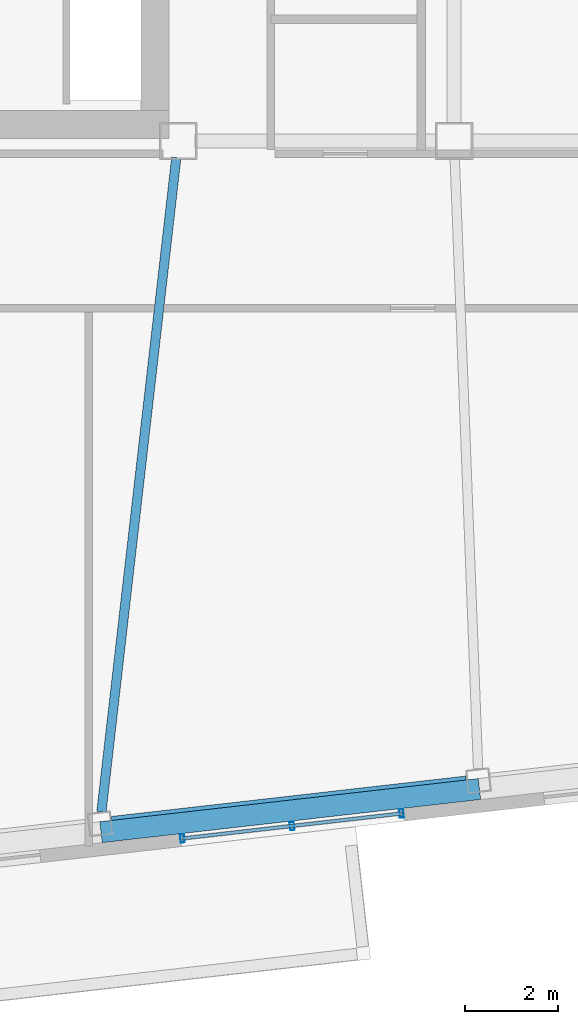
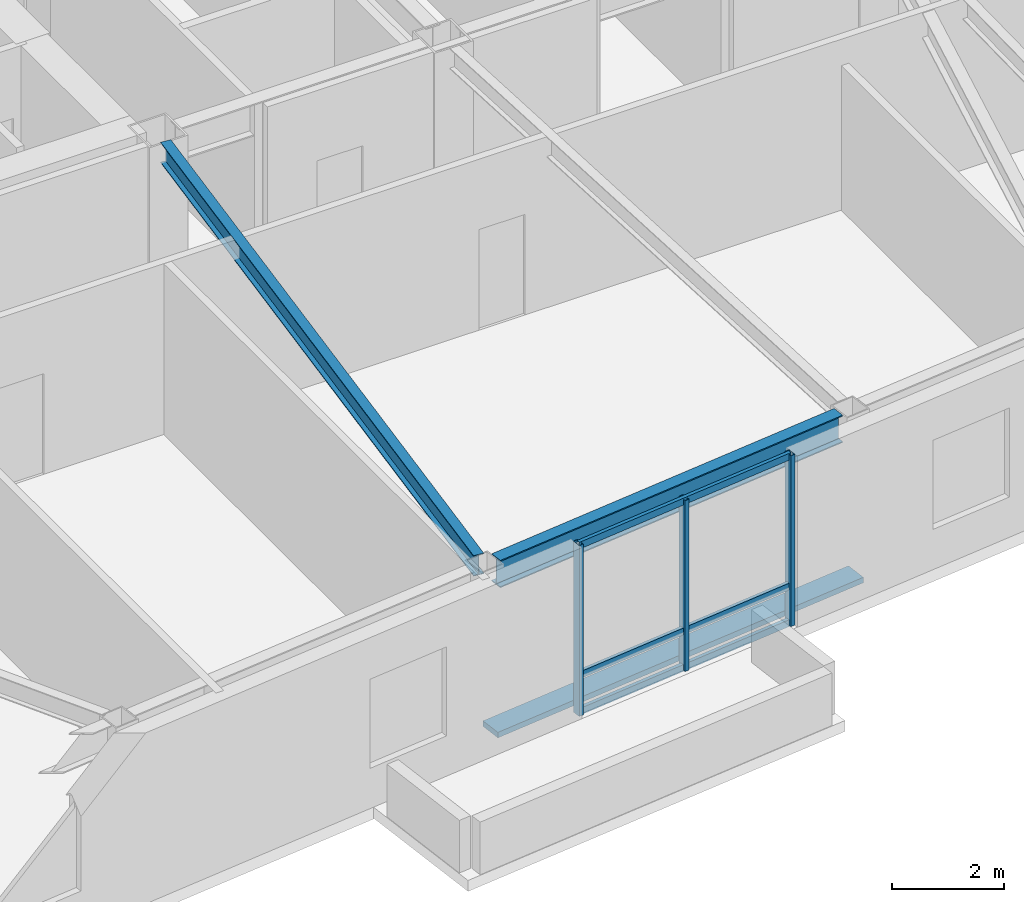
# One storey, part 4 of 18: 7 members, 2 beams, 1 element without a shape of its own.
"""IFC4 building model written with IfcOpenShell, lengths in metres."""

from ifc_helpers import new_model, si_unit, direction, frame, origin, origin_2d, place, context, subcontext, project, spatial, rectangle, hollow_rectangle, i_section, extrude, material, layer, layer_set, material_profile, profile_set, type_object, element, aggregate, save


model = new_model("IFC4")

# Units and contexts
model_context = context("Model", 3, precision=1e-05, world=origin(), true_north=direction((0.0, 1.0)))
body_context = subcontext(model_context, "Body", "Model", "MODEL_VIEW")
ifc_project = project(units=[si_unit("LENGTHUNIT", "METRE"), si_unit("AREAUNIT", "SQUARE_METRE"), si_unit("VOLUMEUNIT", "CUBIC_METRE"), si_unit("PLANEANGLEUNIT", "RADIAN"), si_unit("MASSUNIT", "GRAM", prefix="KILO")], contexts=[model_context])

# Site, building, storey
site_placement = place(None, origin())
site = spatial("IfcSite", under=ifc_project, at=site_placement, CompositionType="ELEMENT")
building_placement = place(site_placement, origin())
building = spatial("IfcBuilding", under=site, at=building_placement, Name="Tavrogorsk Clinical Tower", CompositionType="ELEMENT")
storey_placement = place(building_placement, frame((0.0, 0.0, 230.199951171875)))
storey = spatial("IfcBuildingStorey", under=building, at=storey_placement, Name="L53", CompositionType="ELEMENT", Elevation=230.199951171875)

# Member
ifc_material_1 = material(Name="Anodised aluminium alloy AW-6063", Category="aluminium")
ifc_material_profile_1 = material_profile(ifc_material_1, rectangle(XDim=0.449951171875, YDim=0.1201171875, at=origin_2d()), Name="ALU-SUNSHADE-450x120")
ifc_profile_set_1 = profile_set([ifc_material_profile_1], Name="Anodised aluminium alloy AW-6063")
member_type_1 = type_object("IfcMemberType", Name="ChicagoSunshade_450x120", PredefinedType="USERDEFINED", material=ifc_profile_set_1)
member_1_placement = place(storey_placement, frame((-11.951904296875, -21.136474609375, 0.179931640625), z_axis=(0.9935729766, 0.113193375116, 0.0), x_axis=(-0.113193375116, 0.9935729766, 0.0)))
element("IfcMember", 1, at=member_1_placement, inside=storey, type_object=member_type_1, Name="L53 South Aluminium Sunshade S3", ObjectType="SUNSHADE", PredefinedType="USERDEFINED", context=body_context, shape_type="SweptSolid", body=[
    extrude(rectangle(XDim=0.449951171875, YDim=0.1201171875, at=origin_2d()), origin(), (0.0, 0.0, 1.0), 8.148681640625),
])

# Curtain wall, members
ifc_material_2 = material(Name="Anodised aluminium and triple IGU glazing", Category="aluminium")
ifc_layer = layer(ifc_material_2, 0.179931640625)
ifc_layer_set = layer_set([ifc_layer], Name="Anodised aluminium and triple IGU glazing")
curtain_wall_type = type_object("IfcCurtainWallType", Name="CW3_SouthSlot", PredefinedType="NOTDEFINED", material=ifc_layer_set)
curtain_wall_placement = place(storey_placement, origin())
curtain_wall = element("IfcCurtainWall", 2, at=curtain_wall_placement, inside=storey, type_object=curtain_wall_type, Name="L53 Curtain Wall CW-L53-S-SLOT-1", PredefinedType="NOTDEFINED")
ifc_material_3 = material(Name="Anodised aluminium alloy AW-6060", Category="aluminium")
ifc_material_profile_2 = material_profile(ifc_material_3, hollow_rectangle(XDim=0.090087890625, YDim=0.179931640625, WallThickness=0.00634765625, at=origin_2d()), Name="RHS-180x90x6.3")
ifc_profile_set_2 = profile_set([ifc_material_profile_2], Name="Anodised aluminium alloy AW-6060")
member_type_2 = type_object("IfcMemberType", Name="CwMullion_180x90", PredefinedType="MULLION", material=ifc_profile_set_2)
member_2_placement = place(storey_placement, frame((-10.21044921875, -21.270263671875, 0.0), z_axis=(0.0, 0.0, 1.0), x_axis=(0.993571855603, 0.11320321441, 0.0)))
member_2 = element("IfcMember", 3, at=member_2_placement, type_object=member_type_2, Name="CW-L53-S-SLOT-1 Mullion 1", PredefinedType="MULLION", context=body_context, shape_type="SweptSolid", body=[
    extrude(hollow_rectangle(XDim=0.090087890625, YDim=0.179931640625, WallThickness=0.00634765625, at=origin_2d()), origin(), (0.0, 0.0, 1.0), 3.739990234375),
])
member_3_placement = place(storey_placement, frame((-7.866455078125, -21.003173828125, 0.0), z_axis=(0.0, 0.0, 1.0), x_axis=(0.993571855603, 0.11320321441, 0.0)))
member_3 = element("IfcMember", 4, at=member_3_placement, type_object=member_type_2, Name="CW-L53-S-SLOT-1 Mullion 2", PredefinedType="MULLION", context=body_context, shape_type="SweptSolid", body=[
    extrude(hollow_rectangle(XDim=0.090087890625, YDim=0.179931640625, WallThickness=0.00634765625, at=origin_2d()), origin(), (0.0, 0.0, 1.0), 3.739990234375),
])
member_4_placement = place(storey_placement, frame((-5.522705078125, -20.736083984375, 0.0), z_axis=(0.0, 0.0, 1.0), x_axis=(0.993571855603, 0.11320321441, 0.0)))
member_4 = element("IfcMember", 5, at=member_4_placement, type_object=member_type_2, Name="CW-L53-S-SLOT-1 Mullion 3", PredefinedType="MULLION", context=body_context, shape_type="SweptSolid", body=[
    extrude(hollow_rectangle(XDim=0.090087890625, YDim=0.179931640625, WallThickness=0.00634765625, at=origin_2d()), origin(), (0.0, 0.0, 1.0), 3.739990234375),
])
ifc_material_4 = material(Name="Anodised aluminium alloy AW-6060", Category="aluminium")
ifc_material_profile_3 = material_profile(ifc_material_4, hollow_rectangle(XDim=0.074951171875, YDim=0.14990234375, WallThickness=0.0048828125, at=origin_2d()), Name="RHS-150x75x5")
ifc_profile_set_3 = profile_set([ifc_material_profile_3], Name="Anodised aluminium alloy AW-6060")
member_type_3 = type_object("IfcMemberType", Name="CwTransom_150x75", PredefinedType="USERDEFINED", material=ifc_profile_set_3)
member_5_placement = place(storey_placement, frame((-10.21044921875, -21.270263671875, 0.050048828125), z_axis=(0.993569979218, 0.113219682023, 0.0), x_axis=(-0.113219682023, 0.993569979218, 0.0)))
member_5 = element("IfcMember", 6, at=member_5_placement, type_object=member_type_3, Name="CW-L53-S-SLOT-1 Transom 1", ObjectType="TRANSOM", PredefinedType="USERDEFINED", context=body_context, shape_type="SweptSolid", body=[
    extrude(hollow_rectangle(XDim=0.074951171875, YDim=0.14990234375, WallThickness=0.0048828125, at=origin_2d()), origin(), (0.0, 0.0, 1.0), 4.718017578125),
])
member_6_placement = place(storey_placement, frame((-10.21044921875, -21.270263671875, 0.85009765625), z_axis=(0.993569979218, 0.113219682023, 0.0), x_axis=(-0.113219682023, 0.993569979218, 0.0)))
member_6 = element("IfcMember", 7, at=member_6_placement, type_object=member_type_3, Name="CW-L53-S-SLOT-1 Transom 2", ObjectType="TRANSOM", PredefinedType="USERDEFINED", context=body_context, shape_type="SweptSolid", body=[
    extrude(hollow_rectangle(XDim=0.074951171875, YDim=0.14990234375, WallThickness=0.0048828125, at=origin_2d()), origin(), (0.0, 0.0, 1.0), 4.718017578125),
])
member_7_placement = place(storey_placement, frame((-10.21044921875, -21.270263671875, 3.68994140625), z_axis=(0.993569979218, 0.113219682023, 0.0), x_axis=(-0.113219682023, 0.993569979218, 0.0)))
member_7 = element("IfcMember", 8, at=member_7_placement, type_object=member_type_3, Name="CW-L53-S-SLOT-1 Transom 3", ObjectType="TRANSOM", PredefinedType="USERDEFINED", context=body_context, shape_type="SweptSolid", body=[
    extrude(hollow_rectangle(XDim=0.074951171875, YDim=0.14990234375, WallThickness=0.0048828125, at=origin_2d()), origin(), (0.0, 0.0, 1.0), 4.718017578125),
])
aggregate(curtain_wall, [member_2, member_3, member_4, member_5, member_6, member_7])

# Beams
ifc_material_5 = material(Name="Structural steel S355", Category="steel")
ifc_material_profile_4 = material_profile(ifc_material_5, i_section(OverallWidth=0.199951171875, OverallDepth=0.449951171875, WebThickness=0.011474609375, FlangeThickness=0.01806640625, at=origin_2d()), Name="B-450x200x11.5x18")
ifc_profile_set_4 = profile_set([ifc_material_profile_4], Name="Structural steel S355")
beam_type_1 = type_object("IfcBeamType", Name="FloorBeam_B450", PredefinedType="BEAM", material=ifc_profile_set_4)
beam_1_placement = place(storey_placement, frame((-10.341064453125, -6.707763671875, 3.51513671875), z_axis=(-0.113743110947, -0.993510193562, 0.0), x_axis=(0.993510193562, -0.113743110947, 0.0)))
element("IfcBeam", 9, at=beam_1_placement, inside=storey, type_object=beam_type_1, Name="L53 Radial Floor Beam S3", PredefinedType="BEAM", context=body_context, shape_type="SweptSolid", body=[
    extrude(i_section(OverallWidth=0.199951171875, OverallDepth=0.449951171875, WebThickness=0.011474609375, FlangeThickness=0.01806640625, at=origin_2d()), origin(), (0.0, 0.0, 1.0), 14.084716796875),
])
ifc_material_6 = material(Name="Structural steel S390", Category="steel")
ifc_material_profile_5 = material_profile(ifc_material_6, i_section(OverallWidth=0.260009765625, OverallDepth=0.60009765625, WebThickness=0.014892578125, FlangeThickness=0.02392578125, at=origin_2d()), Name="B-600x260x15x24")
ifc_profile_set_5 = profile_set([ifc_material_profile_5], Name="Structural steel S390")
beam_type_2 = type_object("IfcBeamType", Name="SpandrelBeam_B600", PredefinedType="SPANDREL", material=ifc_profile_set_5)
beam_2_placement = place(storey_placement, frame((-11.716064453125, -20.928466796875, 3.43994140625), z_axis=(0.993572509708, 0.113197473259, 0.0), x_axis=(-0.113197473259, 0.993572509708, 0.0)))
element("IfcBeam", 10, at=beam_2_placement, inside=storey, type_object=beam_type_2, Name="L53 Perimeter Spandrel S3-S4", PredefinedType="SPANDREL", context=body_context, shape_type="SweptSolid", body=[
    extrude(i_section(OverallWidth=0.260009765625, OverallDepth=0.60009765625, WebThickness=0.014892578125, FlangeThickness=0.02392578125, at=origin_2d()), origin(), (0.0, 0.0, 1.0), 7.6328125),
])

save(model, "model.ifc")
